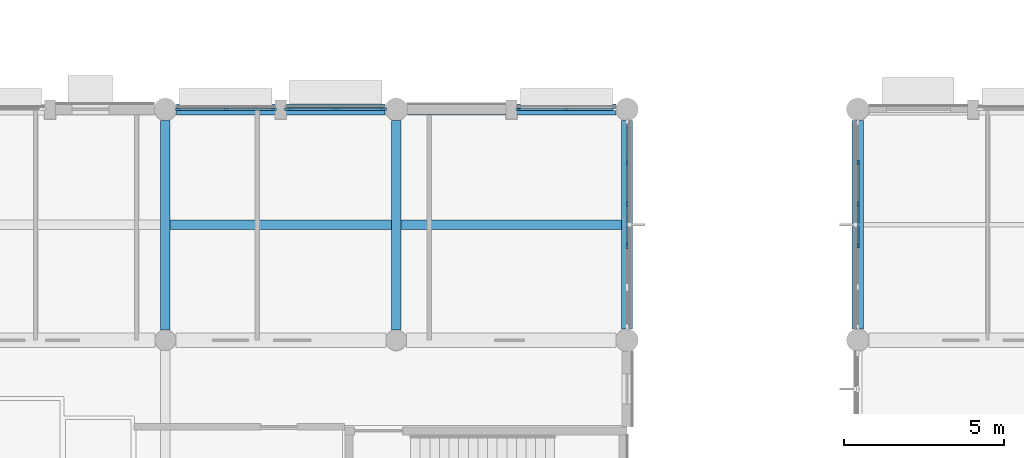
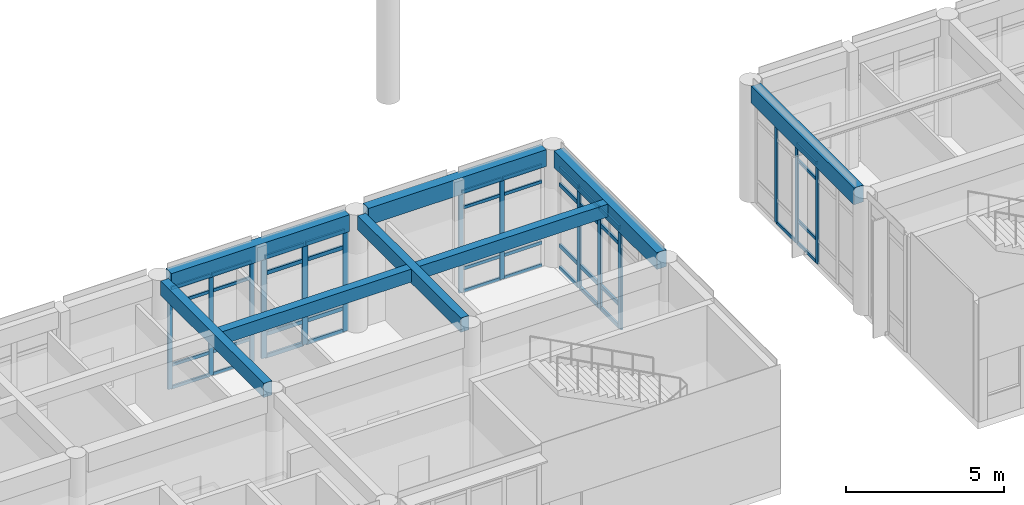
# One storey, part 26 of 92: 55 members, 8 beams, 5 elements without a shape of their own.
"""IFC4 building model written with IfcOpenShell, lengths in metres."""

import ifcopenshell
import ifcopenshell.guid

model = None  # the IFC model being written
_history = None  # IfcOwnerHistory: only IFC2X3 demands one
_inside = {}  # id of a spatial element -> (the spatial element, [elements in it])
_under = {}  # id of a project, library or spatial element -> (it, [spatial elements below it])
_declared = {}  # id of a project -> (the project, [libraries it declares])
_typed = {}  # id of a type object -> (the type object, [elements of that type])
_made_of = {}  # id of a material, layer set ... -> (it, [elements and type objects made of it])


def new_model(schema):
    """Start an empty IFC model of exactly this schema.

    Asked for "IFC4X3", IfcOpenShell would pick the latest addendum, in which some entities
    have other attributes; the version numbers below select the first issue.
    IFC2X3 requires an IfcOwnerHistory on every rooted entity: one is made here for all.
    """
    global model, _history
    if schema == "IFC4X3":
        model = ifcopenshell.file(schema_version=(4, 3, 0, 0))
    else:
        model = ifcopenshell.file(schema=schema)
    _inside.clear()
    _under.clear()
    _declared.clear()
    _typed.clear()
    _made_of.clear()
    _history = None
    if model.schema == "IFC2X3":
        org = make("IfcOrganization", Name="unknown")
        user = make(
            "IfcPersonAndOrganization",
            ThePerson=make("IfcPerson", FamilyName="unknown"),
            TheOrganization=org,
        )
        app = make(
            "IfcApplication",
            ApplicationDeveloper=org,
            Version="unknown",
            ApplicationFullName="unknown",
            ApplicationIdentifier="unknown",
        )
        _history = make(
            "IfcOwnerHistory",
            OwningUser=user,
            OwningApplication=app,
            ChangeAction="ADDED",
            CreationDate=0,
        )
    return model


def make(cls, **values):
    """One entity of the class cls with the attributes given. An attribute that is None is left unset."""
    return model.create_entity(
        cls, **{name: value for name, value in values.items() if value is not None}
    )


def rooted(cls, **values):
    """An entity with a GlobalId (a new one), such as an element, a storey or a relation."""
    return make(cls, GlobalId=ifcopenshell.guid.new(), OwnerHistory=_history, **values)


def si_unit(unit_type, name, prefix=None):
    """IfcSIUnit, for example si_unit("LENGTHUNIT", "METRE", prefix="MILLI")."""
    return make("IfcSIUnit", UnitType=unit_type, Prefix=prefix, Name=name)


def assignment(units):
    """IfcUnitAssignment: the units of a project."""
    return None if units is None else make("IfcUnitAssignment", Units=units)


def point(xyz):
    """IfcCartesianPoint."""
    return None if xyz is None else make("IfcCartesianPoint", Coordinates=xyz)


def direction(xyz):
    """IfcDirection."""
    return None if xyz is None else make("IfcDirection", DirectionRatios=xyz)


def frame(location, z_axis=None, x_axis=None):
    """IfcAxis2Placement3D, a coordinate frame: its origin and axes. An axis left out is left unset."""
    return make(
        "IfcAxis2Placement3D",
        Location=point(location),
        Axis=direction(z_axis),
        RefDirection=direction(x_axis),
    )


def frame_2d(location, x_axis=None):
    """IfcAxis2Placement2D, a coordinate frame in the plane: its origin and x axis."""
    return make(
        "IfcAxis2Placement2D", Location=point(location), RefDirection=direction(x_axis)
    )


def origin():
    """The frame at (0, 0, 0) with its axes left unset."""
    return frame((0.0, 0.0, 0.0))


def origin_2d():
    """The frame at (0, 0) in the plane with its x axis left unset."""
    return frame_2d((0.0, 0.0))


def place(relative_to, where):
    """IfcLocalPlacement: puts the frame where relative to a parent placement (None: the world)."""
    return make(
        "IfcLocalPlacement", PlacementRelTo=relative_to, RelativePlacement=where
    )


def context(
    kind, dimensions, precision=None, world=None, true_north=None, identifier=None
):
    """IfcGeometricRepresentationContext, for example the 3D "Model" context."""
    return make(
        "IfcGeometricRepresentationContext",
        ContextIdentifier=identifier,
        ContextType=kind,
        CoordinateSpaceDimension=dimensions,
        Precision=precision,
        WorldCoordinateSystem=world,
        TrueNorth=true_north,
    )


def subcontext(parent, identifier, kind, view, scale=None):
    """IfcGeometricRepresentationSubContext, for example "Body" below "Model"."""
    return make(
        "IfcGeometricRepresentationSubContext",
        ContextIdentifier=identifier,
        ContextType=kind,
        ParentContext=parent,
        TargetScale=scale,
        TargetView=view,
    )


def project(units=None, contexts=None):
    """IfcProject with its units and contexts."""
    return rooted(
        "IfcProject",
        Name="project",
        RepresentationContexts=contexts,
        UnitsInContext=assignment(units),
    )


def spatial(cls, under=None, at=None, **own):
    """A site, building, storey or space (cls), placed at a placement, below another one or the project."""
    s = rooted(cls, ObjectPlacement=at, **own)
    if under is not None:
        _under.setdefault(under.id(), (under, []))[1].append(s)
    return s


def profile(cls, at=None, kind="AREA", **sizes):
    """A parametric profile (cls). Its sizes go by their IFC names, for example OverallWidth=200.0."""
    return make(cls, ProfileType=kind, Position=at, **sizes)


def rectangle(**sizes):
    """IfcRectangleProfileDef."""
    return profile("IfcRectangleProfileDef", **sizes)


def extrude(swept, where, along, depth):
    """IfcExtrudedAreaSolid: the profile swept, set in the frame where, extruded along a direction by depth."""
    return make(
        "IfcExtrudedAreaSolid",
        SweptArea=swept,
        Position=where,
        ExtrudedDirection=direction(along),
        Depth=depth,
    )


def shape(context_of_items, identifier, shape_type, items):
    """IfcShapeRepresentation: the items that make up one representation, for example the "Body"."""
    return make(
        "IfcShapeRepresentation",
        ContextOfItems=context_of_items,
        RepresentationIdentifier=identifier,
        RepresentationType=shape_type,
        Items=items,
    )


def material(Name=None, Category=None):
    """IfcMaterial."""
    return make("IfcMaterial", Name=Name, Category=Category)


def layer(
    of_material, thickness, ventilated=None, Name=None, Category=None, Priority=None
):
    """IfcMaterialLayer: one layer of a wall or slab, of a material (None: an air gap)."""
    return make(
        "IfcMaterialLayer",
        Material=of_material,
        LayerThickness=thickness,
        IsVentilated=ventilated,
        Name=Name,
        Category=Category,
        Priority=Priority,
    )


def layer_set(layers, Name=None):
    """IfcMaterialLayerSet."""
    return make("IfcMaterialLayerSet", MaterialLayers=layers, LayerSetName=Name)


def material_profile(
    of_material, cross_section, Name=None, Category=None, Priority=None
):
    """IfcMaterialProfile: a cross section and its material."""
    return make(
        "IfcMaterialProfile",
        Name=Name,
        Material=of_material,
        Profile=cross_section,
        Priority=Priority,
        Category=Category,
    )


def profile_set(profiles, Name=None, composite=None):
    """IfcMaterialProfileSet."""
    return make(
        "IfcMaterialProfileSet",
        Name=Name,
        MaterialProfiles=profiles,
        CompositeProfile=composite,
    )


def made_of(thing, what):
    """Note that an element or type object is made of a material, layer set ...; save() writes the relation."""
    if what is not None:
        _made_of.setdefault(what.id(), (what, []))[1].append(thing)
    return thing


def type_object(cls, material=None, **own):
    """A type object (cls), such as IfcWallType, which elements share."""
    return made_of(rooted(cls, **own), material)


def element(
    cls,
    number,
    at=None,
    inside=None,
    cuts=None,
    type_object=None,
    material=None,
    context=None,
    identifier="Body",
    shape_type=None,
    held_by="IfcProductDefinitionShape",
    body=None,
    shapes=None,
    **own,
):
    """One element of the class cls, such as IfcWall. Its Tag is "e" and its number.

    at: its placement. inside: the storey or other place that contains it. cuts: it is an
    opening in that element (IfcRelVoidsElement). A single representation is given by context,
    identifier, shape_type and body (its items); several are given by shapes. held_by: the class
    of the entity that holds the representations. save() writes the other relations.
    """
    e = rooted(cls, Tag="e%d" % number, ObjectPlacement=at, **own)
    if body is not None:
        shapes = [shape(context, identifier, shape_type, body)]
    if shapes is not None:
        e.Representation = make(held_by, Representations=shapes)
    if inside is not None:
        _inside.setdefault(inside.id(), (inside, []))[1].append(e)
    if cuts is not None:
        rooted(
            "IfcRelVoidsElement", RelatingBuildingElement=cuts, RelatedOpeningElement=e
        )
    if type_object is not None:
        _typed.setdefault(type_object.id(), (type_object, []))[1].append(e)
    return made_of(e, material)


def aggregate(whole, parts):
    """IfcRelAggregates: a whole, such as a stair, and the parts it consists of."""
    return rooted("IfcRelAggregates", RelatingObject=whole, RelatedObjects=parts)


def save(model, path):
    """Write the relations noted so far, then the file.

    IfcRelAggregates (storeys below a building ...), IfcRelContainedInSpatialStructure (elements
    in a storey), IfcRelDefinesByType, IfcRelAssociatesMaterial and IfcRelDeclares: one each for
    every whole, place, type object, material and project.
    """
    for whole, parts in _under.values():
        aggregate(whole, parts)
    for where, things in _inside.values():
        rooted(
            "IfcRelContainedInSpatialStructure",
            RelatedElements=things,
            RelatingStructure=where,
        )
    for kind, things in _typed.values():
        rooted("IfcRelDefinesByType", RelatedObjects=things, RelatingType=kind)
    for what, things in _made_of.values():
        rooted("IfcRelAssociatesMaterial", RelatedObjects=things, RelatingMaterial=what)
    for by, libraries in _declared.values():
        rooted("IfcRelDeclares", RelatingContext=by, RelatedDefinitions=libraries)
    model.write(path)


model = new_model("IFC4")

# Units and contexts
model_context = context("Model", 3, precision=1e-05, world=origin(), true_north=direction((0.0, 1.0)))
body_context = subcontext(model_context, "Body", "Model", "MODEL_VIEW")
ifc_project = project(units=[si_unit("LENGTHUNIT", "METRE"), si_unit("AREAUNIT", "SQUARE_METRE"), si_unit("VOLUMEUNIT", "CUBIC_METRE"), si_unit("PLANEANGLEUNIT", "RADIAN"), si_unit("MASSUNIT", "GRAM", prefix="KILO")], contexts=[model_context])

# Site, building, storey
site_placement = place(None, origin())
site = spatial("IfcSite", under=ifc_project, at=site_placement, CompositionType="ELEMENT")
building_placement = place(site_placement, origin())
building = spatial("IfcBuilding", under=site, at=building_placement, Name="Namkhue Oval Health Centre", CompositionType="ELEMENT")
storey_placement = place(building_placement, frame((0.0, 0.0, 4.800048828125)))
storey = spatial("IfcBuildingStorey", under=building, at=storey_placement, Name="L01", CompositionType="ELEMENT", Elevation=4.800048828125)

# Curtain wall, members
ifc_material_1 = material(Name="Anodised aluminium EN AW-6063 T6", Category="aluminium")
ifc_layer_1 = layer(ifc_material_1, 0.159912109375)
ifc_layer_set_1 = layer_set([ifc_layer_1], Name="Anodised aluminium EN AW-6063 T6")
curtain_wall_type_1 = type_object("IfcCurtainWallType", Name="UNITISED CURTAIN WALL M1500", PredefinedType="NOTDEFINED", material=ifc_layer_set_1)
curtain_wall_1_placement = place(storey_placement, origin())
curtain_wall_1 = element("IfcCurtainWall", 1, at=curtain_wall_1_placement, inside=storey, type_object=curtain_wall_type_1, Name="Volume V2 L01 Unitised Curtain Wall 51", PredefinedType="NOTDEFINED")
ifc_material_profile_1 = material_profile(ifc_material_1, rectangle(XDim=0.06494140625, YDim=0.159912109375, at=origin_2d()), Name="ALU 65x160")
ifc_profile_set_1 = profile_set([ifc_material_profile_1], Name="Anodised aluminium EN AW-6063 T6")
member_type_1 = type_object("IfcMemberType", Name="CURTAIN WALL MULLION 65X160", PredefinedType="MULLION", material=ifc_profile_set_1)
member_1_placement = place(storey_placement, frame((84.512939453125, 104.39990234375, 0.0), z_axis=(0.0, 0.0, 1.0), x_axis=(0.0, -1.0, 0.0)))
member_1 = element("IfcMember", 2, at=member_1_placement, type_object=member_type_1, Name="CW-03 mullion 2", PredefinedType="MULLION", context=body_context, shape_type="SweptSolid", body=[
    extrude(rectangle(XDim=0.06494140625, YDim=0.159912109375, at=origin_2d()), origin(), (0.0, 0.0, 1.0), 3.905029296875),
])
member_2_placement = place(storey_placement, frame((83.0185546875, 104.39990234375, 0.0), z_axis=(0.0, 0.0, 1.0), x_axis=(0.0, -1.0, 0.0)))
member_2 = element("IfcMember", 3, at=member_2_placement, type_object=member_type_1, Name="CW-03 mullion 3", PredefinedType="MULLION", context=body_context, shape_type="SweptSolid", body=[
    extrude(rectangle(XDim=0.06494140625, YDim=0.159912109375, at=origin_2d()), origin(), (0.0, 0.0, 1.0), 3.905029296875),
])

ifc_layer_2 = layer(ifc_material_1, 0.159912109375)
ifc_layer_set_2 = layer_set([ifc_layer_2], Name="Anodised aluminium EN AW-6063 T6")
curtain_wall_type_2 = type_object("IfcCurtainWallType", Name="UNITISED CURTAIN WALL M1800", PredefinedType="NOTDEFINED", material=ifc_layer_set_2)
curtain_wall_2_placement = place(storey_placement, origin())
curtain_wall_2 = element("IfcCurtainWall", 4, at=curtain_wall_2_placement, inside=storey, type_object=curtain_wall_type_2, Name="Volume V2 L01 Unitised Curtain Wall 53", PredefinedType="NOTDEFINED")
member_3_placement = place(storey_placement, frame((75.381591796875, 104.39990234375, 0.0), z_axis=(0.0, 0.0, 1.0), x_axis=(0.0, -1.0, 0.0)))
member_3 = element("IfcMember", 5, at=member_3_placement, type_object=member_type_1, Name="CW-05 mullion 1", PredefinedType="MULLION", context=body_context, shape_type="SweptSolid", body=[
    extrude(rectangle(XDim=0.06494140625, YDim=0.159912109375, at=origin_2d()), origin(), (0.0, 0.0, 1.0), 3.905029296875),
])
member_4_placement = place(storey_placement, frame((73.886962890625, 104.39990234375, 0.0), z_axis=(0.0, 0.0, 1.0), x_axis=(0.0, -1.0, 0.0)))
member_4 = element("IfcMember", 6, at=member_4_placement, type_object=member_type_1, Name="CW-05 mullion 2", PredefinedType="MULLION", context=body_context, shape_type="SweptSolid", body=[
    extrude(rectangle(XDim=0.06494140625, YDim=0.159912109375, at=origin_2d()), origin(), (0.0, 0.0, 1.0), 3.905029296875),
])
member_5_placement = place(storey_placement, frame((72.392578125, 104.39990234375, 0.0), z_axis=(0.0, 0.0, 1.0), x_axis=(0.0, -1.0, 0.0)))
member_5 = element("IfcMember", 7, at=member_5_placement, type_object=member_type_1, Name="CW-05 mullion 3", PredefinedType="MULLION", context=body_context, shape_type="SweptSolid", body=[
    extrude(rectangle(XDim=0.06494140625, YDim=0.159912109375, at=origin_2d()), origin(), (0.0, 0.0, 1.0), 3.905029296875),
])

ifc_layer_3 = layer(ifc_material_1, 0.159912109375)
ifc_layer_set_3 = layer_set([ifc_layer_3], Name="Anodised aluminium EN AW-6063 T6")
curtain_wall_type_3 = type_object("IfcCurtainWallType", Name="UNITISED CURTAIN WALL M1200", PredefinedType="NOTDEFINED", material=ifc_layer_set_3)
curtain_wall_3_placement = place(storey_placement, origin())
curtain_wall_3 = element("IfcCurtainWall", 8, at=curtain_wall_3_placement, inside=storey, type_object=curtain_wall_type_3, Name="Volume V3 L01 Unitised Curtain Wall 109", PredefinedType="NOTDEFINED")
member_6_placement = place(storey_placement, frame((93.60009765625, 102.743896484375, 0.0), z_axis=(0.0, 0.0, 1.0), x_axis=(1.0, 0.0, 0.0)))
member_6 = element("IfcMember", 9, at=member_6_placement, type_object=member_type_1, Name="CW-01 mullion 2", PredefinedType="MULLION", context=body_context, shape_type="SweptSolid", body=[
    extrude(rectangle(XDim=0.06494140625, YDim=0.159912109375, at=origin_2d()), origin(), (0.0, 0.0, 1.0), 3.8798828125),
])
member_7_placement = place(storey_placement, frame((93.60009765625, 101.447998046875, 0.0), z_axis=(0.0, 0.0, 1.0), x_axis=(1.0, 0.0, 0.0)))
member_7 = element("IfcMember", 10, at=member_7_placement, type_object=member_type_1, Name="CW-01 mullion 3", PredefinedType="MULLION", context=body_context, shape_type="SweptSolid", body=[
    extrude(rectangle(XDim=0.06494140625, YDim=0.159912109375, at=origin_2d()), origin(), (0.0, 0.0, 1.0), 3.8798828125),
])
member_8_placement = place(storey_placement, frame((93.60009765625, 100.152099609375, 0.0), z_axis=(0.0, 0.0, 1.0), x_axis=(1.0, 0.0, 0.0)))
member_8 = element("IfcMember", 11, at=member_8_placement, type_object=member_type_1, Name="CW-01 mullion 4", PredefinedType="MULLION", context=body_context, shape_type="SweptSolid", body=[
    extrude(rectangle(XDim=0.06494140625, YDim=0.159912109375, at=origin_2d()), origin(), (0.0, 0.0, 1.0), 3.8798828125),
])

ifc_layer_4 = layer(ifc_material_1, 0.159912109375)
ifc_layer_set_4 = layer_set([ifc_layer_4], Name="Anodised aluminium EN AW-6063 T6")
curtain_wall_type_4 = type_object("IfcCurtainWallType", Name="UNITISED CURTAIN WALL M1350", PredefinedType="NOTDEFINED", material=ifc_layer_set_4)
curtain_wall_4_placement = place(storey_placement, origin())
curtain_wall_4 = element("IfcCurtainWall", 12, at=curtain_wall_4_placement, inside=storey, type_object=curtain_wall_type_4, Name="Volume V2 L01 Unitised Curtain Wall 50", PredefinedType="NOTDEFINED")
ifc_material_profile_2 = material_profile(ifc_material_1, rectangle(XDim=0.074951171875, YDim=0.199951171875, at=origin_2d()), Name="ALU 75x200")
ifc_profile_set_2 = profile_set([ifc_material_profile_2], Name="Anodised aluminium EN AW-6063 T6")
member_type_2 = type_object("IfcMemberType", Name="CURTAIN WALL MULLION 75X200", PredefinedType="MULLION", material=ifc_profile_set_2)
member_9_placement = place(storey_placement, frame((86.39990234375, 100.152099609375, 0.0), z_axis=(0.0, 0.0, 1.0), x_axis=(-1.0, 0.0, 0.0)))
member_9 = element("IfcMember", 13, at=member_9_placement, type_object=member_type_2, Name="CW-02 mullion 3", PredefinedType="MULLION", context=body_context, shape_type="SweptSolid", body=[
    extrude(rectangle(XDim=0.074951171875, YDim=0.199951171875, at=origin_2d()), origin(), (0.0, 0.0, 1.0), 3.905029296875),
])
member_10_placement = place(storey_placement, frame((86.39990234375, 101.447998046875, 0.0), z_axis=(0.0, 0.0, 1.0), x_axis=(-1.0, 0.0, 0.0)))
member_10 = element("IfcMember", 14, at=member_10_placement, type_object=member_type_2, Name="CW-02 mullion 4", PredefinedType="MULLION", context=body_context, shape_type="SweptSolid", body=[
    extrude(rectangle(XDim=0.074951171875, YDim=0.199951171875, at=origin_2d()), origin(), (0.0, 0.0, 1.0), 3.905029296875),
])
member_11_placement = place(storey_placement, frame((86.39990234375, 102.743896484375, 0.0), z_axis=(0.0, 0.0, 1.0), x_axis=(-1.0, 0.0, 0.0)))
member_11 = element("IfcMember", 15, at=member_11_placement, type_object=member_type_2, Name="CW-02 mullion 5", PredefinedType="MULLION", context=body_context, shape_type="SweptSolid", body=[
    extrude(rectangle(XDim=0.074951171875, YDim=0.199951171875, at=origin_2d()), origin(), (0.0, 0.0, 1.0), 3.905029296875),
])

ifc_layer_5 = layer(ifc_material_1, 0.159912109375)
ifc_layer_set_5 = layer_set([ifc_layer_5], Name="Anodised aluminium EN AW-6063 T6")
curtain_wall_type_5 = type_object("IfcCurtainWallType", Name="UNITISED CURTAIN WALL M1600", PredefinedType="NOTDEFINED", material=ifc_layer_set_5)
curtain_wall_5_placement = place(storey_placement, origin())
curtain_wall_5 = element("IfcCurtainWall", 16, at=curtain_wall_5_placement, inside=storey, type_object=curtain_wall_type_5, Name="Volume V2 L01 Unitised Curtain Wall 52", PredefinedType="NOTDEFINED")
member_12_placement = place(storey_placement, frame((78.802490234375, 104.39990234375, 0.0), z_axis=(0.0, 0.0, 1.0), x_axis=(0.0, -1.0, 0.0)))
member_12 = element("IfcMember", 17, at=member_12_placement, type_object=member_type_2, Name="CW-04 mullion 1", PredefinedType="MULLION", context=body_context, shape_type="SweptSolid", body=[
    extrude(rectangle(XDim=0.074951171875, YDim=0.199951171875, at=origin_2d()), origin(), (0.0, 0.0, 1.0), 3.905029296875),
])
member_13_placement = place(storey_placement, frame((77.31298828125, 104.39990234375, 0.0), z_axis=(0.0, 0.0, 1.0), x_axis=(0.0, -1.0, 0.0)))
member_13 = element("IfcMember", 18, at=member_13_placement, type_object=member_type_2, Name="CW-04 mullion 2", PredefinedType="MULLION", context=body_context, shape_type="SweptSolid", body=[
    extrude(rectangle(XDim=0.074951171875, YDim=0.199951171875, at=origin_2d()), origin(), (0.0, 0.0, 1.0), 3.905029296875),
])
member_14_placement = place(storey_placement, frame((75.823486328125, 104.39990234375, 0.0), z_axis=(0.0, 0.0, 1.0), x_axis=(0.0, -1.0, 0.0)))
member_14 = element("IfcMember", 19, at=member_14_placement, type_object=member_type_2, Name="CW-04 mullion 3", PredefinedType="MULLION", context=body_context, shape_type="SweptSolid", body=[
    extrude(rectangle(XDim=0.074951171875, YDim=0.199951171875, at=origin_2d()), origin(), (0.0, 0.0, 1.0), 3.905029296875),
])

# Member
ifc_material_profile_3 = material_profile(ifc_material_1, rectangle(XDim=0.06494140625, YDim=0.1201171875, at=origin_2d()), Name="ALU 65x120")
ifc_profile_set_3 = profile_set([ifc_material_profile_3], Name="Anodised aluminium EN AW-6063 T6")
member_type_3 = type_object("IfcMemberType", Name="CURTAIN WALL TRANSOM 65X120", PredefinedType="USERDEFINED", material=ifc_profile_set_3)
member_15_placement = place(storey_placement, frame((85.97509765625, 104.39990234375, 0.032470703125), z_axis=(-1.0, 0.0, 0.0), x_axis=(0.0, -1.0, 0.0)))
member_15 = element("IfcMember", 20, at=member_15_placement, type_object=member_type_3, Name="CW-03 transom 1.1", ObjectType="TRANSOM", PredefinedType="USERDEFINED", context=body_context, shape_type="SweptSolid", body=[
    extrude(rectangle(XDim=0.06494140625, YDim=0.1201171875, at=origin_2d()), origin(), (0.0, 0.0, 1.0), 1.4296875),
])

member_16_placement = place(storey_placement, frame((85.97509765625, 104.39990234375, 0.89990234375), z_axis=(-1.0, 0.0, 0.0), x_axis=(0.0, -1.0, 0.0)))
member_16 = element("IfcMember", 21, at=member_16_placement, type_object=member_type_3, Name="CW-03 transom 1.2", ObjectType="TRANSOM", PredefinedType="USERDEFINED", context=body_context, shape_type="SweptSolid", body=[
    extrude(rectangle(XDim=0.06494140625, YDim=0.1201171875, at=origin_2d()), origin(), (0.0, 0.0, 1.0), 1.4296875),
])

member_17_placement = place(storey_placement, frame((85.97509765625, 104.39990234375, 3.2548828125), z_axis=(-1.0, 0.0, 0.0), x_axis=(0.0, -1.0, 0.0)))
member_17 = element("IfcMember", 22, at=member_17_placement, type_object=member_type_3, Name="CW-03 transom 1.3", ObjectType="TRANSOM", PredefinedType="USERDEFINED", context=body_context, shape_type="SweptSolid", body=[
    extrude(rectangle(XDim=0.06494140625, YDim=0.1201171875, at=origin_2d()), origin(), (0.0, 0.0, 1.0), 1.4296875),
])

member_18_placement = place(storey_placement, frame((85.97509765625, 104.39990234375, 3.87255859375), z_axis=(-1.0, 0.0, 0.0), x_axis=(0.0, -1.0, 0.0)))
member_18 = element("IfcMember", 23, at=member_18_placement, type_object=member_type_3, Name="CW-03 transom 1.4", ObjectType="TRANSOM", PredefinedType="USERDEFINED", context=body_context, shape_type="SweptSolid", body=[
    extrude(rectangle(XDim=0.06494140625, YDim=0.1201171875, at=origin_2d()), origin(), (0.0, 0.0, 1.0), 1.4296875),
])

member_19_placement = place(storey_placement, frame((84.48046875, 104.39990234375, 0.032470703125), z_axis=(-1.0, 0.0, 0.0), x_axis=(0.0, -1.0, 0.0)))
member_19 = element("IfcMember", 24, at=member_19_placement, type_object=member_type_3, Name="CW-03 transom 2.1", ObjectType="TRANSOM", PredefinedType="USERDEFINED", context=body_context, shape_type="SweptSolid", body=[
    extrude(rectangle(XDim=0.06494140625, YDim=0.1201171875, at=origin_2d()), origin(), (0.0, 0.0, 1.0), 1.429443359375),
])

member_20_placement = place(storey_placement, frame((84.48046875, 104.39990234375, 0.89990234375), z_axis=(-1.0, 0.0, 0.0), x_axis=(0.0, -1.0, 0.0)))
member_20 = element("IfcMember", 25, at=member_20_placement, type_object=member_type_3, Name="CW-03 transom 2.2", ObjectType="TRANSOM", PredefinedType="USERDEFINED", context=body_context, shape_type="SweptSolid", body=[
    extrude(rectangle(XDim=0.06494140625, YDim=0.1201171875, at=origin_2d()), origin(), (0.0, 0.0, 1.0), 1.429443359375),
])

member_21_placement = place(storey_placement, frame((84.48046875, 104.39990234375, 3.2548828125), z_axis=(-1.0, 0.0, 0.0), x_axis=(0.0, -1.0, 0.0)))
member_21 = element("IfcMember", 26, at=member_21_placement, type_object=member_type_3, Name="CW-03 transom 2.3", ObjectType="TRANSOM", PredefinedType="USERDEFINED", context=body_context, shape_type="SweptSolid", body=[
    extrude(rectangle(XDim=0.06494140625, YDim=0.1201171875, at=origin_2d()), origin(), (0.0, 0.0, 1.0), 1.429443359375),
])

member_22_placement = place(storey_placement, frame((84.48046875, 104.39990234375, 3.87255859375), z_axis=(-1.0, 0.0, 0.0), x_axis=(0.0, -1.0, 0.0)))
member_22 = element("IfcMember", 27, at=member_22_placement, type_object=member_type_3, Name="CW-03 transom 2.4", ObjectType="TRANSOM", PredefinedType="USERDEFINED", context=body_context, shape_type="SweptSolid", body=[
    extrude(rectangle(XDim=0.06494140625, YDim=0.1201171875, at=origin_2d()), origin(), (0.0, 0.0, 1.0), 1.429443359375),
])

aggregate(curtain_wall_1, [member_1, member_2, member_15, member_16, member_17, member_18, member_19, member_20, member_21, member_22])

member_23_placement = place(storey_placement, frame((75.34912109375, 104.39990234375, 0.032470703125), z_axis=(-1.0, 0.0, 0.0), x_axis=(0.0, -1.0, 0.0)))
member_23 = element("IfcMember", 28, at=member_23_placement, type_object=member_type_3, Name="CW-05 transom 1.1", ObjectType="TRANSOM", PredefinedType="USERDEFINED", context=body_context, shape_type="SweptSolid", body=[
    extrude(rectangle(XDim=0.06494140625, YDim=0.1201171875, at=origin_2d()), origin(), (0.0, 0.0, 1.0), 1.4296875),
])

member_24_placement = place(storey_placement, frame((75.34912109375, 104.39990234375, 0.89990234375), z_axis=(-1.0, 0.0, 0.0), x_axis=(0.0, -1.0, 0.0)))
member_24 = element("IfcMember", 29, at=member_24_placement, type_object=member_type_3, Name="CW-05 transom 1.2", ObjectType="TRANSOM", PredefinedType="USERDEFINED", context=body_context, shape_type="SweptSolid", body=[
    extrude(rectangle(XDim=0.06494140625, YDim=0.1201171875, at=origin_2d()), origin(), (0.0, 0.0, 1.0), 1.4296875),
])

member_25_placement = place(storey_placement, frame((75.34912109375, 104.39990234375, 3.2548828125), z_axis=(-1.0, 0.0, 0.0), x_axis=(0.0, -1.0, 0.0)))
member_25 = element("IfcMember", 30, at=member_25_placement, type_object=member_type_3, Name="CW-05 transom 1.3", ObjectType="TRANSOM", PredefinedType="USERDEFINED", context=body_context, shape_type="SweptSolid", body=[
    extrude(rectangle(XDim=0.06494140625, YDim=0.1201171875, at=origin_2d()), origin(), (0.0, 0.0, 1.0), 1.4296875),
])

member_26_placement = place(storey_placement, frame((75.34912109375, 104.39990234375, 3.87255859375), z_axis=(-1.0, 0.0, 0.0), x_axis=(0.0, -1.0, 0.0)))
member_26 = element("IfcMember", 31, at=member_26_placement, type_object=member_type_3, Name="CW-05 transom 1.4", ObjectType="TRANSOM", PredefinedType="USERDEFINED", context=body_context, shape_type="SweptSolid", body=[
    extrude(rectangle(XDim=0.06494140625, YDim=0.1201171875, at=origin_2d()), origin(), (0.0, 0.0, 1.0), 1.4296875),
])

member_27_placement = place(storey_placement, frame((73.8544921875, 104.39990234375, 0.032470703125), z_axis=(-1.0, 0.0, 0.0), x_axis=(0.0, -1.0, 0.0)))
member_27 = element("IfcMember", 32, at=member_27_placement, type_object=member_type_3, Name="CW-05 transom 2.1", ObjectType="TRANSOM", PredefinedType="USERDEFINED", context=body_context, shape_type="SweptSolid", body=[
    extrude(rectangle(XDim=0.06494140625, YDim=0.1201171875, at=origin_2d()), origin(), (0.0, 0.0, 1.0), 1.429443359375),
])

member_28_placement = place(storey_placement, frame((73.8544921875, 104.39990234375, 0.89990234375), z_axis=(-1.0, 0.0, 0.0), x_axis=(0.0, -1.0, 0.0)))
member_28 = element("IfcMember", 33, at=member_28_placement, type_object=member_type_3, Name="CW-05 transom 2.2", ObjectType="TRANSOM", PredefinedType="USERDEFINED", context=body_context, shape_type="SweptSolid", body=[
    extrude(rectangle(XDim=0.06494140625, YDim=0.1201171875, at=origin_2d()), origin(), (0.0, 0.0, 1.0), 1.429443359375),
])

member_29_placement = place(storey_placement, frame((73.8544921875, 104.39990234375, 3.2548828125), z_axis=(-1.0, 0.0, 0.0), x_axis=(0.0, -1.0, 0.0)))
member_29 = element("IfcMember", 34, at=member_29_placement, type_object=member_type_3, Name="CW-05 transom 2.3", ObjectType="TRANSOM", PredefinedType="USERDEFINED", context=body_context, shape_type="SweptSolid", body=[
    extrude(rectangle(XDim=0.06494140625, YDim=0.1201171875, at=origin_2d()), origin(), (0.0, 0.0, 1.0), 1.429443359375),
])

member_30_placement = place(storey_placement, frame((73.8544921875, 104.39990234375, 3.87255859375), z_axis=(-1.0, 0.0, 0.0), x_axis=(0.0, -1.0, 0.0)))
member_30 = element("IfcMember", 35, at=member_30_placement, type_object=member_type_3, Name="CW-05 transom 2.4", ObjectType="TRANSOM", PredefinedType="USERDEFINED", context=body_context, shape_type="SweptSolid", body=[
    extrude(rectangle(XDim=0.06494140625, YDim=0.1201171875, at=origin_2d()), origin(), (0.0, 0.0, 1.0), 1.429443359375),
])

aggregate(curtain_wall_2, [member_3, member_4, member_5, member_23, member_24, member_25, member_26, member_27, member_28, member_29, member_30])

member_31_placement = place(storey_placement, frame((93.60009765625, 102.71142578125, 0.032470703125), z_axis=(0.0, -1.0, 0.0), x_axis=(1.0, 0.0, 0.0)))
member_31 = element("IfcMember", 36, at=member_31_placement, type_object=member_type_3, Name="CW-01 transom 2.1", ObjectType="TRANSOM", PredefinedType="USERDEFINED", context=body_context, shape_type="SweptSolid", body=[
    extrude(rectangle(XDim=0.06494140625, YDim=0.1201171875, at=origin_2d()), origin(), (0.0, 0.0, 1.0), 1.23095703125),
])

member_32_placement = place(storey_placement, frame((93.60009765625, 101.41552734375, 0.032470703125), z_axis=(0.0, -1.0, 0.0), x_axis=(1.0, 0.0, 0.0)))
member_32 = element("IfcMember", 37, at=member_32_placement, type_object=member_type_3, Name="CW-01 transom 3.1", ObjectType="TRANSOM", PredefinedType="USERDEFINED", context=body_context, shape_type="SweptSolid", body=[
    extrude(rectangle(XDim=0.06494140625, YDim=0.1201171875, at=origin_2d()), origin(), (0.0, 0.0, 1.0), 1.23095703125),
])

member_33_placement = place(storey_placement, frame((93.60009765625, 101.41552734375, 0.89990234375), z_axis=(0.0, -1.0, 0.0), x_axis=(1.0, 0.0, 0.0)))
member_33 = element("IfcMember", 38, at=member_33_placement, type_object=member_type_3, Name="CW-01 transom 3.2", ObjectType="TRANSOM", PredefinedType="USERDEFINED", context=body_context, shape_type="SweptSolid", body=[
    extrude(rectangle(XDim=0.06494140625, YDim=0.1201171875, at=origin_2d()), origin(), (0.0, 0.0, 1.0), 1.23095703125),
])

member_34_placement = place(storey_placement, frame((93.60009765625, 101.41552734375, 3.22998046875), z_axis=(0.0, -1.0, 0.0), x_axis=(1.0, 0.0, 0.0)))
member_34 = element("IfcMember", 39, at=member_34_placement, type_object=member_type_3, Name="CW-01 transom 3.3", ObjectType="TRANSOM", PredefinedType="USERDEFINED", context=body_context, shape_type="SweptSolid", body=[
    extrude(rectangle(XDim=0.06494140625, YDim=0.1201171875, at=origin_2d()), origin(), (0.0, 0.0, 1.0), 1.23095703125),
])

member_35_placement = place(storey_placement, frame((93.60009765625, 101.41552734375, 3.847412109375), z_axis=(0.0, -1.0, 0.0), x_axis=(1.0, 0.0, 0.0)))
member_35 = element("IfcMember", 40, at=member_35_placement, type_object=member_type_3, Name="CW-01 transom 3.4", ObjectType="TRANSOM", PredefinedType="USERDEFINED", context=body_context, shape_type="SweptSolid", body=[
    extrude(rectangle(XDim=0.06494140625, YDim=0.1201171875, at=origin_2d()), origin(), (0.0, 0.0, 1.0), 1.23095703125),
])

aggregate(curtain_wall_3, [member_6, member_7, member_8, member_31, member_32, member_33, member_34, member_35])

ifc_material_profile_4 = material_profile(ifc_material_1, rectangle(XDim=0.074951171875, YDim=0.14990234375, at=origin_2d()), Name="ALU 75x150")
ifc_profile_set_4 = profile_set([ifc_material_profile_4], Name="Anodised aluminium EN AW-6063 T6")
member_type_4 = type_object("IfcMemberType", Name="CURTAIN WALL TRANSOM 75X150", PredefinedType="USERDEFINED", material=ifc_profile_set_4)
member_36_placement = place(storey_placement, frame((86.39990234375, 100.189453125, 0.037353515625), z_axis=(0.0, 1.0, 0.0), x_axis=(-1.0, 0.0, 0.0)))
member_36 = element("IfcMember", 41, at=member_36_placement, type_object=member_type_4, Name="CW-02 transom 3.1", ObjectType="TRANSOM", PredefinedType="USERDEFINED", context=body_context, shape_type="SweptSolid", body=[
    extrude(rectangle(XDim=0.074951171875, YDim=0.14990234375, at=origin_2d()), origin(), (0.0, 0.0, 1.0), 1.220947265625),
])

member_37_placement = place(storey_placement, frame((86.39990234375, 100.189453125, 0.89990234375), z_axis=(0.0, 1.0, 0.0), x_axis=(-1.0, 0.0, 0.0)))
member_37 = element("IfcMember", 42, at=member_37_placement, type_object=member_type_4, Name="CW-02 transom 3.2", ObjectType="TRANSOM", PredefinedType="USERDEFINED", context=body_context, shape_type="SweptSolid", body=[
    extrude(rectangle(XDim=0.074951171875, YDim=0.14990234375, at=origin_2d()), origin(), (0.0, 0.0, 1.0), 1.220947265625),
])

member_38_placement = place(storey_placement, frame((86.39990234375, 100.189453125, 3.2548828125), z_axis=(0.0, 1.0, 0.0), x_axis=(-1.0, 0.0, 0.0)))
member_38 = element("IfcMember", 43, at=member_38_placement, type_object=member_type_4, Name="CW-02 transom 3.3", ObjectType="TRANSOM", PredefinedType="USERDEFINED", context=body_context, shape_type="SweptSolid", body=[
    extrude(rectangle(XDim=0.074951171875, YDim=0.14990234375, at=origin_2d()), origin(), (0.0, 0.0, 1.0), 1.220947265625),
])

member_39_placement = place(storey_placement, frame((86.39990234375, 100.189453125, 3.867431640625), z_axis=(0.0, 1.0, 0.0), x_axis=(-1.0, 0.0, 0.0)))
member_39 = element("IfcMember", 44, at=member_39_placement, type_object=member_type_4, Name="CW-02 transom 3.4", ObjectType="TRANSOM", PredefinedType="USERDEFINED", context=body_context, shape_type="SweptSolid", body=[
    extrude(rectangle(XDim=0.074951171875, YDim=0.14990234375, at=origin_2d()), origin(), (0.0, 0.0, 1.0), 1.220947265625),
])

member_40_placement = place(storey_placement, frame((86.39990234375, 101.485595703125, 0.037353515625), z_axis=(0.0, 1.0, 0.0), x_axis=(-1.0, 0.0, 0.0)))
member_40 = element("IfcMember", 45, at=member_40_placement, type_object=member_type_4, Name="CW-02 transom 4.1", ObjectType="TRANSOM", PredefinedType="USERDEFINED", context=body_context, shape_type="SweptSolid", body=[
    extrude(rectangle(XDim=0.074951171875, YDim=0.14990234375, at=origin_2d()), origin(), (0.0, 0.0, 1.0), 1.220947265625),
])

member_41_placement = place(storey_placement, frame((86.39990234375, 101.485595703125, 0.89990234375), z_axis=(0.0, 1.0, 0.0), x_axis=(-1.0, 0.0, 0.0)))
member_41 = element("IfcMember", 46, at=member_41_placement, type_object=member_type_4, Name="CW-02 transom 4.2", ObjectType="TRANSOM", PredefinedType="USERDEFINED", context=body_context, shape_type="SweptSolid", body=[
    extrude(rectangle(XDim=0.074951171875, YDim=0.14990234375, at=origin_2d()), origin(), (0.0, 0.0, 1.0), 1.220947265625),
])

member_42_placement = place(storey_placement, frame((86.39990234375, 101.485595703125, 3.2548828125), z_axis=(0.0, 1.0, 0.0), x_axis=(-1.0, 0.0, 0.0)))
member_42 = element("IfcMember", 47, at=member_42_placement, type_object=member_type_4, Name="CW-02 transom 4.3", ObjectType="TRANSOM", PredefinedType="USERDEFINED", context=body_context, shape_type="SweptSolid", body=[
    extrude(rectangle(XDim=0.074951171875, YDim=0.14990234375, at=origin_2d()), origin(), (0.0, 0.0, 1.0), 1.220947265625),
])

member_43_placement = place(storey_placement, frame((86.39990234375, 101.485595703125, 3.867431640625), z_axis=(0.0, 1.0, 0.0), x_axis=(-1.0, 0.0, 0.0)))
member_43 = element("IfcMember", 48, at=member_43_placement, type_object=member_type_4, Name="CW-02 transom 4.4", ObjectType="TRANSOM", PredefinedType="USERDEFINED", context=body_context, shape_type="SweptSolid", body=[
    extrude(rectangle(XDim=0.074951171875, YDim=0.14990234375, at=origin_2d()), origin(), (0.0, 0.0, 1.0), 1.220947265625),
])

member_44_placement = place(storey_placement, frame((86.39990234375, 102.781494140625, 0.037353515625), z_axis=(0.0, 1.0, 0.0), x_axis=(-1.0, 0.0, 0.0)))
member_44 = element("IfcMember", 49, at=member_44_placement, type_object=member_type_4, Name="CW-02 transom 5.1", ObjectType="TRANSOM", PredefinedType="USERDEFINED", context=body_context, shape_type="SweptSolid", body=[
    extrude(rectangle(XDim=0.074951171875, YDim=0.14990234375, at=origin_2d()), origin(), (0.0, 0.0, 1.0), 1.18359375),
])

member_45_placement = place(storey_placement, frame((86.39990234375, 102.781494140625, 0.89990234375), z_axis=(0.0, 1.0, 0.0), x_axis=(-1.0, 0.0, 0.0)))
member_45 = element("IfcMember", 50, at=member_45_placement, type_object=member_type_4, Name="CW-02 transom 5.2", ObjectType="TRANSOM", PredefinedType="USERDEFINED", context=body_context, shape_type="SweptSolid", body=[
    extrude(rectangle(XDim=0.074951171875, YDim=0.14990234375, at=origin_2d()), origin(), (0.0, 0.0, 1.0), 1.18359375),
])

member_46_placement = place(storey_placement, frame((86.39990234375, 102.781494140625, 3.2548828125), z_axis=(0.0, 1.0, 0.0), x_axis=(-1.0, 0.0, 0.0)))
member_46 = element("IfcMember", 51, at=member_46_placement, type_object=member_type_4, Name="CW-02 transom 5.3", ObjectType="TRANSOM", PredefinedType="USERDEFINED", context=body_context, shape_type="SweptSolid", body=[
    extrude(rectangle(XDim=0.074951171875, YDim=0.14990234375, at=origin_2d()), origin(), (0.0, 0.0, 1.0), 1.18359375),
])

member_47_placement = place(storey_placement, frame((86.39990234375, 102.781494140625, 3.867431640625), z_axis=(0.0, 1.0, 0.0), x_axis=(-1.0, 0.0, 0.0)))
member_47 = element("IfcMember", 52, at=member_47_placement, type_object=member_type_4, Name="CW-02 transom 5.4", ObjectType="TRANSOM", PredefinedType="USERDEFINED", context=body_context, shape_type="SweptSolid", body=[
    extrude(rectangle(XDim=0.074951171875, YDim=0.14990234375, at=origin_2d()), origin(), (0.0, 0.0, 1.0), 1.18359375),
])

aggregate(curtain_wall_4, [member_9, member_10, member_11, member_36, member_37, member_38, member_39, member_40, member_41, member_42, member_43, member_44, member_45, member_46, member_47])

member_48_placement = place(storey_placement, frame((78.764892578125, 104.39990234375, 0.037353515625), z_axis=(-1.0, 0.0, 0.0), x_axis=(0.0, -1.0, 0.0)))
member_48 = element("IfcMember", 53, at=member_48_placement, type_object=member_type_4, Name="CW-04 transom 1.1", ObjectType="TRANSOM", PredefinedType="USERDEFINED", context=body_context, shape_type="SweptSolid", body=[
    extrude(rectangle(XDim=0.074951171875, YDim=0.14990234375, at=origin_2d()), origin(), (0.0, 0.0, 1.0), 1.414306640625),
])

member_49_placement = place(storey_placement, frame((78.764892578125, 104.39990234375, 0.89990234375), z_axis=(-1.0, 0.0, 0.0), x_axis=(0.0, -1.0, 0.0)))
member_49 = element("IfcMember", 54, at=member_49_placement, type_object=member_type_4, Name="CW-04 transom 1.2", ObjectType="TRANSOM", PredefinedType="USERDEFINED", context=body_context, shape_type="SweptSolid", body=[
    extrude(rectangle(XDim=0.074951171875, YDim=0.14990234375, at=origin_2d()), origin(), (0.0, 0.0, 1.0), 1.414306640625),
])

member_50_placement = place(storey_placement, frame((78.764892578125, 104.39990234375, 3.2548828125), z_axis=(-1.0, 0.0, 0.0), x_axis=(0.0, -1.0, 0.0)))
member_50 = element("IfcMember", 55, at=member_50_placement, type_object=member_type_4, Name="CW-04 transom 1.3", ObjectType="TRANSOM", PredefinedType="USERDEFINED", context=body_context, shape_type="SweptSolid", body=[
    extrude(rectangle(XDim=0.074951171875, YDim=0.14990234375, at=origin_2d()), origin(), (0.0, 0.0, 1.0), 1.414306640625),
])

member_51_placement = place(storey_placement, frame((78.764892578125, 104.39990234375, 3.867431640625), z_axis=(-1.0, 0.0, 0.0), x_axis=(0.0, -1.0, 0.0)))
member_51 = element("IfcMember", 56, at=member_51_placement, type_object=member_type_4, Name="CW-04 transom 1.4", ObjectType="TRANSOM", PredefinedType="USERDEFINED", context=body_context, shape_type="SweptSolid", body=[
    extrude(rectangle(XDim=0.074951171875, YDim=0.14990234375, at=origin_2d()), origin(), (0.0, 0.0, 1.0), 1.414306640625),
])

member_52_placement = place(storey_placement, frame((77.275390625, 104.39990234375, 0.037353515625), z_axis=(-1.0, 0.0, 0.0), x_axis=(0.0, -1.0, 0.0)))
member_52 = element("IfcMember", 57, at=member_52_placement, type_object=member_type_4, Name="CW-04 transom 2.1", ObjectType="TRANSOM", PredefinedType="USERDEFINED", context=body_context, shape_type="SweptSolid", body=[
    extrude(rectangle(XDim=0.074951171875, YDim=0.14990234375, at=origin_2d()), origin(), (0.0, 0.0, 1.0), 1.414306640625),
])

member_53_placement = place(storey_placement, frame((77.275390625, 104.39990234375, 0.89990234375), z_axis=(-1.0, 0.0, 0.0), x_axis=(0.0, -1.0, 0.0)))
member_53 = element("IfcMember", 58, at=member_53_placement, type_object=member_type_4, Name="CW-04 transom 2.2", ObjectType="TRANSOM", PredefinedType="USERDEFINED", context=body_context, shape_type="SweptSolid", body=[
    extrude(rectangle(XDim=0.074951171875, YDim=0.14990234375, at=origin_2d()), origin(), (0.0, 0.0, 1.0), 1.414306640625),
])

member_54_placement = place(storey_placement, frame((77.275390625, 104.39990234375, 3.2548828125), z_axis=(-1.0, 0.0, 0.0), x_axis=(0.0, -1.0, 0.0)))
member_54 = element("IfcMember", 59, at=member_54_placement, type_object=member_type_4, Name="CW-04 transom 2.3", ObjectType="TRANSOM", PredefinedType="USERDEFINED", context=body_context, shape_type="SweptSolid", body=[
    extrude(rectangle(XDim=0.074951171875, YDim=0.14990234375, at=origin_2d()), origin(), (0.0, 0.0, 1.0), 1.414306640625),
])

member_55_placement = place(storey_placement, frame((77.275390625, 104.39990234375, 3.867431640625), z_axis=(-1.0, 0.0, 0.0), x_axis=(0.0, -1.0, 0.0)))
member_55 = element("IfcMember", 60, at=member_55_placement, type_object=member_type_4, Name="CW-04 transom 2.4", ObjectType="TRANSOM", PredefinedType="USERDEFINED", context=body_context, shape_type="SweptSolid", body=[
    extrude(rectangle(XDim=0.074951171875, YDim=0.14990234375, at=origin_2d()), origin(), (0.0, 0.0, 1.0), 1.414306640625),
])

aggregate(curtain_wall_5, [member_12, member_13, member_14, member_48, member_49, member_50, member_51, member_52, member_53, member_54, member_55])

# Beams
ifc_material_2 = material(Name="Reinforced concrete C30/37 (TCVN B35)", Category="concrete")
ifc_material_profile_5 = material_profile(ifc_material_2, rectangle(XDim=0.300048828125, YDim=0.550048828125, at=origin_2d()), Name="RC 300x550")
ifc_profile_set_5 = profile_set([ifc_material_profile_5], Name="Reinforced concrete C30/37 (TCVN B35)")
beam_type_1 = type_object("IfcBeamType", Name="FLOOR BEAM RC 300X550", PredefinedType="BEAM", material=ifc_profile_set_5)
for number, where, z_axis, x_axis, name in (
    (61, (72.0, 97.52490234375, 4.280029296875), (0.0, 1.0, 0.0), (-1.0, 0.0, 0.0), "Volume V2 L02 Beam 11/O-P"),
    (62, (79.199951171875, 97.52490234375, 4.280029296875), (0.0, 1.0, 0.0), (-1.0, 0.0, 0.0), "Volume V2 L02 Beam 12/O-P"),
):
    element("IfcBeam", number, at=place(storey_placement, frame(where, z_axis=z_axis, x_axis=x_axis)), inside=storey, type_object=beam_type_1, Name=name, PredefinedType="BEAM", context=body_context, shape_type="SweptSolid", body=[
        extrude(rectangle(XDim=0.300048828125, YDim=0.550048828125, at=origin_2d()), origin(), (0.0, 0.0, 1.0), 6.525146484375),
    ])
ifc_material_3 = material(Name="Reinforced concrete C35/45 (TCVN B40)", Category="concrete")
ifc_material_profile_6 = material_profile(ifc_material_3, rectangle(XDim=0.35009765625, YDim=0.64990234375, at=origin_2d()), Name="RC 350x650")
ifc_profile_set_6 = profile_set([ifc_material_profile_6], Name="Reinforced concrete C35/45 (TCVN B40)")
beam_type_2 = type_object("IfcBeamType", Name="PERIMETER SPANDREL BEAM 350X650", PredefinedType="SPANDREL", material=ifc_profile_set_6)
for number, where, z_axis, x_axis, name in (
    (63, (72.35009765625, 104.39990234375, 4.22998046875), (1.0, 0.0, 0.0), (0.0, 1.0, 0.0), "Volume V2 L02 Girder P/11-12"),
    (64, (79.550048828125, 104.39990234375, 4.22998046875), (1.0, 0.0, 0.0), (0.0, 1.0, 0.0), "Volume V2 L02 Girder P/12-13"),
    (65, (86.39990234375, 97.550048828125, 4.22998046875), (0.0, 1.0, 0.0), (-1.0, 0.0, 0.0), "Volume V2 L02 Beam 13/O-P"),
    (66, (93.60009765625, 97.550048828125, 4.204833984375), (0.0, 1.0, 0.0), (-1.0, 0.0, 0.0), "Volume V3 L02 Beam 14/O-P"),
):
    element("IfcBeam", number, at=place(storey_placement, frame(where, z_axis=z_axis, x_axis=x_axis)), inside=storey, type_object=beam_type_2, Name=name, PredefinedType="SPANDREL", context=body_context, shape_type="SweptSolid", body=[
        extrude(rectangle(XDim=0.35009765625, YDim=0.64990234375, at=origin_2d()), origin(), (0.0, 0.0, 1.0), 6.5),
    ])
ifc_material_profile_7 = material_profile(ifc_material_2, rectangle(XDim=0.300048828125, YDim=0.5, at=origin_2d()), Name="RC 300x500")
ifc_profile_set_7 = profile_set([ifc_material_profile_7], Name="Reinforced concrete C30/37 (TCVN B35)")
beam_type_3 = type_object("IfcBeamType", Name="SECONDARY JOIST RC 300X500", PredefinedType="JOIST", material=ifc_profile_set_7)
beam_1_placement = place(storey_placement, frame((72.14990234375, 100.800048828125, 4.304931640625), z_axis=(1.0, 0.0, 0.0), x_axis=(0.0, 1.0, 0.0)))
element("IfcBeam", 67, at=beam_1_placement, inside=storey, type_object=beam_type_3, Name="Volume V2 L02 Secondary Joist 11-12", PredefinedType="JOIST", context=body_context, shape_type="SweptSolid", body=[
    extrude(rectangle(XDim=0.300048828125, YDim=0.5, at=origin_2d()), origin(), (0.0, 0.0, 1.0), 6.900146484375),
])
beam_2_placement = place(storey_placement, frame((79.35009765625, 100.800048828125, 4.304931640625), z_axis=(1.0, 0.0, 0.0), x_axis=(0.0, 1.0, 0.0)))
element("IfcBeam", 68, at=beam_2_placement, inside=storey, type_object=beam_type_3, Name="Volume V2 L02 Secondary Joist 12-13", PredefinedType="JOIST", context=body_context, shape_type="SweptSolid", body=[
    extrude(rectangle(XDim=0.300048828125, YDim=0.5, at=origin_2d()), origin(), (0.0, 0.0, 1.0), 6.875),
])

save(model, "model.ifc")
